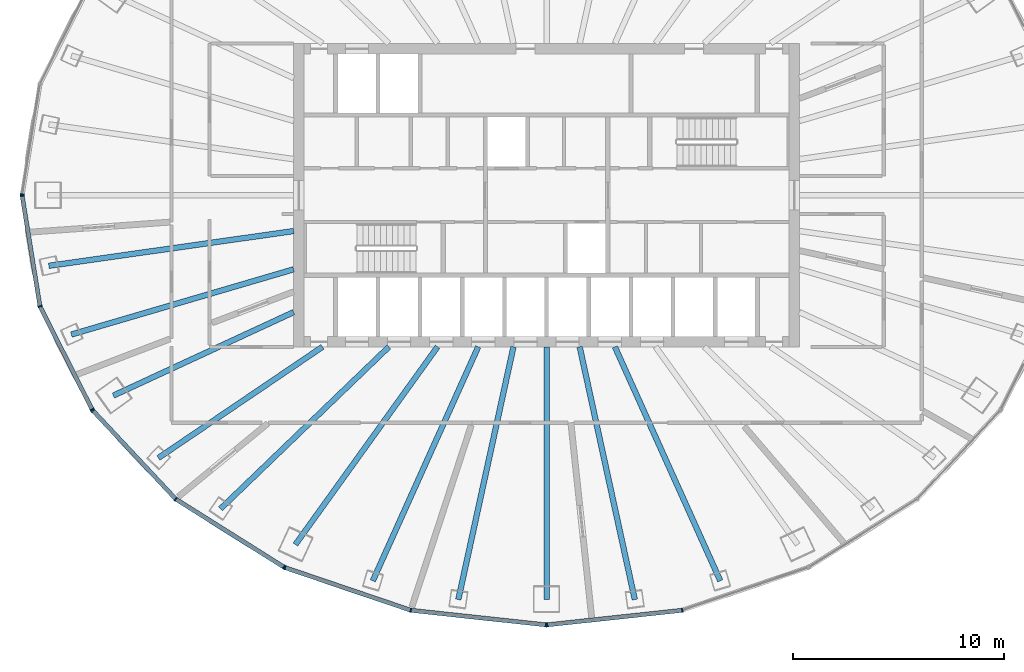
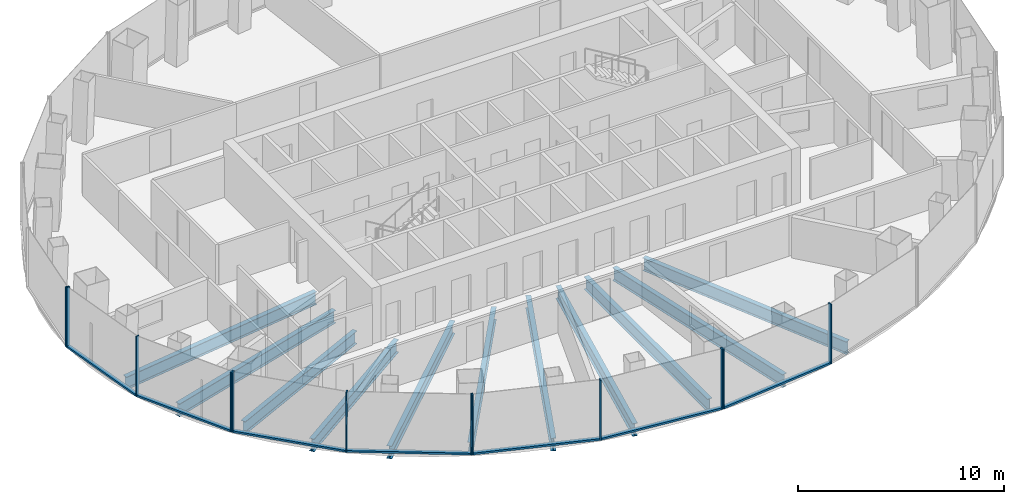
# One storey, part 2 of 12: 19 members, 11 beams, 5 elements without a shape of their own.
"""IFC4 building model written with IfcOpenShell, lengths in metres."""

from ifc_helpers import new_model, si_unit, direction, frame, origin, origin_2d, place, context, subcontext, project, spatial, rectangle, i_section, extrude, material, layer, layer_set, material_profile, profile_set, type_object, element, aggregate, save


model = new_model("IFC4")

# Units and contexts
model_context = context("Model", 3, precision=1e-05, world=origin(), true_north=direction((0.0, 1.0)))
body_context = subcontext(model_context, "Body", "Model", "MODEL_VIEW")
ifc_project = project(units=[si_unit("LENGTHUNIT", "METRE"), si_unit("AREAUNIT", "SQUARE_METRE"), si_unit("VOLUMEUNIT", "CUBIC_METRE"), si_unit("PLANEANGLEUNIT", "RADIAN"), si_unit("MASSUNIT", "GRAM", prefix="KILO")], contexts=[model_context])

# Site, building, storey
site_placement = place(None, origin())
site = spatial("IfcSite", under=ifc_project, at=site_placement, CompositionType="ELEMENT")
building_placement = place(site_placement, origin())
building = spatial("IfcBuilding", under=site, at=building_placement, Name="Siaravel Broadcast Tower", CompositionType="ELEMENT")
storey_placement = place(building_placement, frame((0.0, 0.0, 137.800048828125)))
storey = spatial("IfcBuildingStorey", under=building, at=storey_placement, Name="L33", CompositionType="ELEMENT", Elevation=137.800048828125)

# Beams
ifc_material_1 = material(Name="Steel S355", Category="steel")
ifc_material_profile_1 = material_profile(ifc_material_1, i_section(OverallWidth=0.26513671875, OverallDepth=0.75390625, WebThickness=0.0126953125, FlangeThickness=0.017578125, FilletRadius=0.0166015625, at=origin_2d()))
ifc_profile_set_1 = profile_set([ifc_material_profile_1], Name="Steel S355")
beam_type = type_object("IfcBeamType", Name="BM-UB 762x267x147", PredefinedType="BEAM", material=ifc_profile_set_1)
beam_1_placement = place(storey_placement, frame((-23.614501953125, -3.355224609375, -0.52685546875), z_axis=(0.990057423, 0.140663782, 0.0), x_axis=(-0.140663782, 0.990057423, 0.0)))
element("IfcBeam", 1, at=beam_1_placement, inside=storey, type_object=beam_type, Name="Radial beam RB20", PredefinedType="BEAM", context=body_context, shape_type="SweptSolid", body=[
    extrude(i_section(OverallWidth=0.26513671875, OverallDepth=0.75390625, WebThickness=0.0126953125, FlangeThickness=0.017578125, FilletRadius=0.0166015625, at=origin_2d()), origin(), (0.0, 0.0, 1.0), 11.731201171875),
])
beam_2_placement = place(storey_placement, frame((-22.5478515625, -6.615478515625, -0.52685546875), z_axis=(0.959552024, 0.281531373, 0.0), x_axis=(-0.281531373, 0.959552024, 0.0)))
element("IfcBeam", 2, at=beam_2_placement, inside=storey, type_object=beam_type, Name="Radial beam RB21", PredefinedType="BEAM", context=body_context, shape_type="SweptSolid", body=[
    extrude(i_section(OverallWidth=0.26513671875, OverallDepth=0.75390625, WebThickness=0.0126953125, FlangeThickness=0.017578125, FilletRadius=0.0166015625, at=origin_2d()), origin(), (0.0, 0.0, 1.0), 10.992431640625),
])
beam_3_placement = place(storey_placement, frame((-20.554931640625, -9.51220703125, -0.52685546875), z_axis=(0.907532906, 0.419980982, 0.0), x_axis=(-0.419980982, 0.907532906, 0.0)))
element("IfcBeam", 3, at=beam_3_placement, inside=storey, type_object=beam_type, Name="Radial beam RB22", PredefinedType="BEAM", context=body_context, shape_type="SweptSolid", body=[
    extrude(i_section(OverallWidth=0.26513671875, OverallDepth=0.75390625, WebThickness=0.0126953125, FlangeThickness=0.017578125, FilletRadius=0.0166015625, at=origin_2d()), origin(), (0.0, 0.0, 1.0), 9.426513671875),
])
beam_4_placement = place(storey_placement, frame((-18.418212890625, -12.470947265625, -0.52685546875), z_axis=(0.828033424, 0.56067874, 0.0), x_axis=(-0.56067874, 0.828033424, 0.0)))
element("IfcBeam", 4, at=beam_4_placement, inside=storey, type_object=beam_type, Name="Radial beam RB23", PredefinedType="BEAM", context=body_context, shape_type="SweptSolid", body=[
    extrude(i_section(OverallWidth=0.26513671875, OverallDepth=0.75390625, WebThickness=0.0126953125, FlangeThickness=0.017578125, FilletRadius=0.0166015625, at=origin_2d()), origin(), (0.0, 0.0, 1.0), 9.401123046875),
])
beam_5_placement = place(storey_placement, frame((-15.470703125, -14.885009765625, -0.52685546875), z_axis=(0.720620137, 0.693330093, 0.0), x_axis=(-0.693330093, 0.720620137, 0.0)))
element("IfcBeam", 5, at=beam_5_placement, inside=storey, type_object=beam_type, Name="Radial beam RB24", PredefinedType="BEAM", context=body_context, shape_type="SweptSolid", body=[
    extrude(i_section(OverallWidth=0.26513671875, OverallDepth=0.75390625, WebThickness=0.0126953125, FlangeThickness=0.017578125, FilletRadius=0.0166015625, at=origin_2d()), origin(), (0.0, 0.0, 1.0), 11.084228515625),
])
beam_6_placement = place(storey_placement, frame((-11.916259765625, -16.578857421875, -0.52685546875), z_axis=(0.583643017, 0.812010363, 0.0), x_axis=(-0.812010363, 0.583643017, 0.0)))
element("IfcBeam", 6, at=beam_6_placement, inside=storey, type_object=beam_type, Name="Radial beam RB25", PredefinedType="BEAM", context=body_context, shape_type="SweptSolid", body=[
    extrude(i_section(OverallWidth=0.26513671875, OverallDepth=0.75390625, WebThickness=0.0126953125, FlangeThickness=0.017578125, FilletRadius=0.0166015625, at=origin_2d()), origin(), (0.0, 0.0, 1.0), 11.55029296875),
])
beam_7_placement = place(storey_placement, frame((-8.244384765625, -18.301513671875, -0.52685546875), z_axis=(0.410724813, 0.911759359, 0.0), x_axis=(-0.911759359, 0.410724813, 0.0)))
element("IfcBeam", 7, at=beam_7_placement, inside=storey, type_object=beam_type, Name="Radial beam RB26", PredefinedType="BEAM", context=body_context, shape_type="SweptSolid", body=[
    extrude(i_section(OverallWidth=0.26513671875, OverallDepth=0.75390625, WebThickness=0.0126953125, FlangeThickness=0.017578125, FilletRadius=0.0166015625, at=origin_2d()), origin(), (0.0, 0.0, 1.0), 12.176025390625),
])
beam_8_placement = place(storey_placement, frame((-4.1875, -19.191650390625, -0.52685546875), z_axis=(0.213173634, 0.97701433, 0.0), x_axis=(-0.97701433, 0.213173634, 0.0)))
element("IfcBeam", 8, at=beam_8_placement, inside=storey, type_object=beam_type, Name="Radial beam RB27", PredefinedType="BEAM", context=body_context, shape_type="SweptSolid", body=[
    extrude(i_section(OverallWidth=0.26513671875, OverallDepth=0.75390625, WebThickness=0.0126953125, FlangeThickness=0.017578125, FilletRadius=0.0166015625, at=origin_2d()), origin(), (0.0, 0.0, 1.0), 12.27392578125),
])
beam_9_placement = place(storey_placement, frame((0.0, -19.19189453125, -0.52685546875), z_axis=(0.0, 1.0, 0.0), x_axis=(-1.0, 0.0, 0.0)))
element("IfcBeam", 9, at=beam_9_placement, inside=storey, type_object=beam_type, Name="Radial beam RB28", PredefinedType="BEAM", context=body_context, shape_type="SweptSolid", body=[
    extrude(i_section(OverallWidth=0.26513671875, OverallDepth=0.75390625, WebThickness=0.0126953125, FlangeThickness=0.017578125, FilletRadius=0.0166015625, at=origin_2d()), origin(), (0.0, 0.0, 1.0), 11.991943359375),
])
beam_10_placement = place(storey_placement, frame((4.1875, -19.191650390625, -0.52685546875), z_axis=(-0.213173634, 0.97701433, 0.0), x_axis=(-0.97701433, -0.213173634, 0.0)))
element("IfcBeam", 10, at=beam_10_placement, inside=storey, type_object=beam_type, Name="Radial beam RB29", PredefinedType="BEAM", context=body_context, shape_type="SweptSolid", body=[
    extrude(i_section(OverallWidth=0.26513671875, OverallDepth=0.75390625, WebThickness=0.0126953125, FlangeThickness=0.017578125, FilletRadius=0.0166015625, at=origin_2d()), origin(), (0.0, 0.0, 1.0), 12.27392578125),
])
beam_11_placement = place(storey_placement, frame((8.244384765625, -18.301513671875, -0.52685546875), z_axis=(-0.410724813, 0.911759359, 0.0), x_axis=(-0.911759359, -0.410724813, 0.0)))
element("IfcBeam", 11, at=beam_11_placement, inside=storey, type_object=beam_type, Name="Radial beam RB30", PredefinedType="BEAM", context=body_context, shape_type="SweptSolid", body=[
    extrude(i_section(OverallWidth=0.26513671875, OverallDepth=0.75390625, WebThickness=0.0126953125, FlangeThickness=0.017578125, FilletRadius=0.0166015625, at=origin_2d()), origin(), (0.0, 0.0, 1.0), 12.176025390625),
])

# Curtain wall, member
ifc_material_2 = material(Name="Aluminium 6063-T6", Category="aluminium")
ifc_layer = layer(ifc_material_2, 0.199951171875)
ifc_layer_set = layer_set([ifc_layer], Name="Aluminium 6063-T6")
curtain_wall_type = type_object("IfcCurtainWallType", Name="Unitised curtain wall, zone 2", PredefinedType="NOTDEFINED", material=ifc_layer_set)
curtain_wall_1_placement = place(storey_placement, origin())
curtain_wall_1 = element("IfcCurtainWall", 12, at=curtain_wall_1_placement, inside=storey, type_object=curtain_wall_type, Name="L33 Unitised curtain wall, zone 2 06", PredefinedType="NOTDEFINED")
ifc_material_profile_2 = material_profile(ifc_material_2, rectangle(XDim=0.199951171875, YDim=0.06494140625, at=origin_2d()))
ifc_profile_set_2 = profile_set([ifc_material_profile_2], Name="Aluminium 6063-T6")
member_type_1 = type_object("IfcMemberType", Name="CW-Z2 mullion", PredefinedType="MULLION", material=ifc_profile_set_2)
member_1_placement = place(storey_placement, frame((-24.881591796875, 0.031982421875, 0.0), z_axis=(0.0, 0.0, 1.0), x_axis=(0.987329298, -0.158684773, 0.0)))
member_1 = element("IfcMember", 13, at=member_1_placement, type_object=member_type_1, Name="CW-Z2 mullion 3", PredefinedType="MULLION", context=body_context, shape_type="SweptSolid", body=[
    extrude(rectangle(XDim=0.199951171875, YDim=0.06494140625, at=origin_2d()), origin(), (0.0, 0.0, 1.0), 3.550048828125),
])
aggregate(curtain_wall_1, [member_1])

# Curtain wall, members
curtain_wall_2_placement = place(storey_placement, origin())
curtain_wall_2 = element("IfcCurtainWall", 14, at=curtain_wall_2_placement, inside=storey, type_object=curtain_wall_type, Name="L33 Unitised curtain wall, zone 2 07", PredefinedType="NOTDEFINED")
member_2_placement = place(storey_placement, frame((-24.881591796875, -0.031982421875, 0.0), z_axis=(0.0, 0.0, 1.0), x_axis=(0.987329298, 0.158684773, 0.0)))
member_2 = element("IfcMember", 15, at=member_2_placement, type_object=member_type_1, Name="CW-Z2 mullion 1", PredefinedType="MULLION", context=body_context, shape_type="SweptSolid", body=[
    extrude(rectangle(XDim=0.199951171875, YDim=0.06494140625, at=origin_2d()), origin(), (0.0, 0.0, 1.0), 3.550048828125),
])
member_3_placement = place(storey_placement, frame((-24.0380859375, -5.281005859375, 0.0), z_axis=(0.0, 0.0, 1.0), x_axis=(0.951177626, 0.308644007, 0.0)))
member_3 = element("IfcMember", 16, at=member_3_placement, type_object=member_type_1, Name="CW-Z2 mullion 2", PredefinedType="MULLION", context=body_context, shape_type="SweptSolid", body=[
    extrude(rectangle(XDim=0.199951171875, YDim=0.06494140625, at=origin_2d()), origin(), (0.0, 0.0, 1.0), 3.550048828125),
])
member_4_placement = place(storey_placement, frame((-21.56494140625, -10.172119140625, 0.0), z_axis=(0.0, 0.0, 1.0), x_axis=(0.892392954, 0.451259145, 0.0)))
member_4 = element("IfcMember", 17, at=member_4_placement, type_object=member_type_1, Name="CW-Z2 mullion 3", PredefinedType="MULLION", context=body_context, shape_type="SweptSolid", body=[
    extrude(rectangle(XDim=0.199951171875, YDim=0.06494140625, at=origin_2d()), origin(), (0.0, 0.0, 1.0), 3.550048828125),
])

curtain_wall_3_placement = place(storey_placement, origin())
curtain_wall_3 = element("IfcCurtainWall", 18, at=curtain_wall_3_placement, inside=storey, type_object=curtain_wall_type, Name="L33 Unitised curtain wall, zone 2 08", PredefinedType="NOTDEFINED")
member_5_placement = place(storey_placement, frame((-21.528076171875, -10.224609375, 0.0), z_axis=(0.0, 0.0, 1.0), x_axis=(0.729806913, 0.683653326, 0.0)))
member_5 = element("IfcMember", 19, at=member_5_placement, type_object=member_type_1, Name="CW-Z2 mullion 1", PredefinedType="MULLION", context=body_context, shape_type="SweptSolid", body=[
    extrude(rectangle(XDim=0.199951171875, YDim=0.06494140625, at=origin_2d()), origin(), (0.0, 0.0, 1.0), 3.550048828125),
])
member_6_placement = place(storey_placement, frame((-17.593994140625, -14.42431640625, 0.0), z_axis=(0.0, 0.0, 1.0), x_axis=(0.63622045, 0.771507317, 0.0)))
member_6 = element("IfcMember", 20, at=member_6_placement, type_object=member_type_1, Name="CW-Z2 mullion 2", PredefinedType="MULLION", context=body_context, shape_type="SweptSolid", body=[
    extrude(rectangle(XDim=0.199951171875, YDim=0.06494140625, at=origin_2d()), origin(), (0.0, 0.0, 1.0), 3.550048828125),
])
member_7_placement = place(storey_placement, frame((-12.46728515625, -17.646484375, 0.0), z_axis=(0.0, 0.0, 1.0), x_axis=(0.532151141, 0.846649374, 0.0)))
member_7 = element("IfcMember", 21, at=member_7_placement, type_object=member_type_1, Name="CW-Z2 mullion 3", PredefinedType="MULLION", context=body_context, shape_type="SweptSolid", body=[
    extrude(rectangle(XDim=0.199951171875, YDim=0.06494140625, at=origin_2d()), origin(), (0.0, 0.0, 1.0), 3.550048828125),
])

curtain_wall_4_placement = place(storey_placement, origin())
curtain_wall_4 = element("IfcCurtainWall", 22, at=curtain_wall_4_placement, inside=storey, type_object=curtain_wall_type, Name="L33 Unitised curtain wall, zone 2 09", PredefinedType="NOTDEFINED")
member_8_placement = place(storey_placement, frame((-12.408935546875, -17.67431640625, 0.0), z_axis=(0.0, 0.0, 1.0), x_axis=(0.321302097, 0.946976749, 0.0)))
member_8 = element("IfcMember", 23, at=member_8_placement, type_object=member_type_1, Name="CW-Z2 mullion 1", PredefinedType="MULLION", context=body_context, shape_type="SweptSolid", body=[
    extrude(rectangle(XDim=0.199951171875, YDim=0.06494140625, at=origin_2d()), origin(), (0.0, 0.0, 1.0), 3.550048828125),
])
member_9_placement = place(storey_placement, frame((-6.43896484375, -19.699951171875, 0.0), z_axis=(0.0, 0.0, 1.0), x_axis=(0.215559096, 0.976490797, 0.0)))
member_9 = element("IfcMember", 24, at=member_9_placement, type_object=member_type_1, Name="CW-Z2 mullion 2", PredefinedType="MULLION", context=body_context, shape_type="SweptSolid", body=[
    extrude(rectangle(XDim=0.199951171875, YDim=0.06494140625, at=origin_2d()), origin(), (0.0, 0.0, 1.0), 3.550048828125),
])
member_10_placement = place(storey_placement, frame((-0.0322265625, -20.390869140625, 0.0), z_axis=(0.0, 0.0, 1.0), x_axis=(0.107218035, 0.994235532, 0.0)))
member_10 = element("IfcMember", 25, at=member_10_placement, type_object=member_type_1, Name="CW-Z2 mullion 3", PredefinedType="MULLION", context=body_context, shape_type="SweptSolid", body=[
    extrude(rectangle(XDim=0.199951171875, YDim=0.06494140625, at=origin_2d()), origin(), (0.0, 0.0, 1.0), 3.550048828125),
])

curtain_wall_5_placement = place(storey_placement, origin())
curtain_wall_5 = element("IfcCurtainWall", 26, at=curtain_wall_5_placement, inside=storey, type_object=curtain_wall_type, Name="L33 Unitised curtain wall, zone 2 10", PredefinedType="NOTDEFINED")
member_11_placement = place(storey_placement, frame((0.0322265625, -20.390869140625, 0.0), z_axis=(0.0, 0.0, 1.0), x_axis=(-0.107218035, 0.994235532, 0.0)))
member_11 = element("IfcMember", 27, at=member_11_placement, type_object=member_type_1, Name="CW-Z2 mullion 1", PredefinedType="MULLION", context=body_context, shape_type="SweptSolid", body=[
    extrude(rectangle(XDim=0.199951171875, YDim=0.06494140625, at=origin_2d()), origin(), (0.0, 0.0, 1.0), 3.550048828125),
])
member_12_placement = place(storey_placement, frame((6.43896484375, -19.699951171875, 0.0), z_axis=(0.0, 0.0, 1.0), x_axis=(-0.215559096, 0.976490797, 0.0)))
member_12 = element("IfcMember", 28, at=member_12_placement, type_object=member_type_1, Name="CW-Z2 mullion 2", PredefinedType="MULLION", context=body_context, shape_type="SweptSolid", body=[
    extrude(rectangle(XDim=0.199951171875, YDim=0.06494140625, at=origin_2d()), origin(), (0.0, 0.0, 1.0), 3.550048828125),
])

# Member
ifc_material_profile_3 = material_profile(ifc_material_2, rectangle(XDim=0.199951171875, YDim=0.110107421875, at=origin_2d()))
ifc_profile_set_3 = profile_set([ifc_material_profile_3], Name="Aluminium 6063-T6")
member_type_2 = type_object("IfcMemberType", Name="CW-Z2 transom", PredefinedType="USERDEFINED", material=ifc_profile_set_3)
member_13_placement = place(storey_placement, frame((-24.876708984375, -0.064208984375, 0.054931640625), z_axis=(0.158726655, -0.987322566, 0.0), x_axis=(0.987322566, 0.158726655, 0.0)))
member_13 = element("IfcMember", 29, at=member_13_placement, type_object=member_type_2, Name="CW-Z2 transom 1", ObjectType="TRANSOM", PredefinedType="USERDEFINED", context=body_context, shape_type="SweptSolid", body=[
    extrude(rectangle(XDim=0.199951171875, YDim=0.110107421875, at=origin_2d()), origin(), (0.0, 0.0, 1.0), 5.251220703125),
])

member_14_placement = place(storey_placement, frame((-24.0234375, -5.31005859375, 0.054931640625), z_axis=(0.45124818, -0.892398498, 0.0), x_axis=(0.892398498, 0.45124818, 0.0)))
member_14 = element("IfcMember", 30, at=member_14_placement, type_object=member_type_2, Name="CW-Z2 transom 2", ObjectType="TRANSOM", PredefinedType="USERDEFINED", context=body_context, shape_type="SweptSolid", body=[
    extrude(rectangle(XDim=0.199951171875, YDim=0.110107421875, at=origin_2d()), origin(), (0.0, 0.0, 1.0), 5.415771484375),
])

aggregate(curtain_wall_2, [member_2, member_3, member_4, member_13, member_14])

member_15_placement = place(storey_placement, frame((-21.505859375, -10.248291015625, 0.054931640625), z_axis=(0.683644181, -0.72981548, 0.0), x_axis=(0.72981548, 0.683644181, 0.0)))
member_15 = element("IfcMember", 31, at=member_15_placement, type_object=member_type_2, Name="CW-Z2 transom 1", ObjectType="TRANSOM", PredefinedType="USERDEFINED", context=body_context, shape_type="SweptSolid", body=[
    extrude(rectangle(XDim=0.199951171875, YDim=0.110107421875, at=origin_2d()), origin(), (0.0, 0.0, 1.0), 5.689697265625),
])

member_16_placement = place(storey_placement, frame((-17.56640625, -14.441650390625, 0.054931640625), z_axis=(0.84664232, -0.532162364, 0.0), x_axis=(0.532162364, 0.84664232, 0.0)))
member_16 = element("IfcMember", 32, at=member_16_placement, type_object=member_type_2, Name="CW-Z2 transom 2", ObjectType="TRANSOM", PredefinedType="USERDEFINED", context=body_context, shape_type="SweptSolid", body=[
    extrude(rectangle(XDim=0.199951171875, YDim=0.110107421875, at=origin_2d()), origin(), (0.0, 0.0, 1.0), 5.990234375),
])

aggregate(curtain_wall_3, [member_5, member_6, member_7, member_15, member_16])

member_17_placement = place(storey_placement, frame((-12.37841796875, -17.684814453125, 0.054931640625), z_axis=(0.946983377, -0.32128256, 0.0), x_axis=(0.32128256, 0.946983377, 0.0)))
member_17 = element("IfcMember", 33, at=member_17_placement, type_object=member_type_2, Name="CW-Z2 transom 1", ObjectType="TRANSOM", PredefinedType="USERDEFINED", context=body_context, shape_type="SweptSolid", body=[
    extrude(rectangle(XDim=0.199951171875, YDim=0.110107421875, at=origin_2d()), origin(), (0.0, 0.0, 1.0), 6.239501953125),
])

member_18_placement = place(storey_placement, frame((-6.40673828125, -19.703369140625, 0.054931640625), z_axis=(0.994236965, -0.107204748, 0.0), x_axis=(0.107204748, 0.994236965, 0.0)))
member_18 = element("IfcMember", 34, at=member_18_placement, type_object=member_type_2, Name="CW-Z2 transom 2", ObjectType="TRANSOM", PredefinedType="USERDEFINED", context=body_context, shape_type="SweptSolid", body=[
    extrude(rectangle(XDim=0.199951171875, YDim=0.110107421875, at=origin_2d()), origin(), (0.0, 0.0, 1.0), 6.37890625),
])

aggregate(curtain_wall_4, [member_8, member_9, member_10, member_17, member_18])

member_19_placement = place(storey_placement, frame((0.064697265625, -20.38720703125, 0.054931640625), z_axis=(0.994236965, 0.107204748, 0.0), x_axis=(-0.107204748, 0.994236965, 0.0)))
member_19 = element("IfcMember", 35, at=member_19_placement, type_object=member_type_2, Name="CW-Z2 transom 1", ObjectType="TRANSOM", PredefinedType="USERDEFINED", context=body_context, shape_type="SweptSolid", body=[
    extrude(rectangle(XDim=0.199951171875, YDim=0.110107421875, at=origin_2d()), origin(), (0.0, 0.0, 1.0), 6.37890625),
])

aggregate(curtain_wall_5, [member_11, member_12, member_19])

save(model, "model.ifc")
